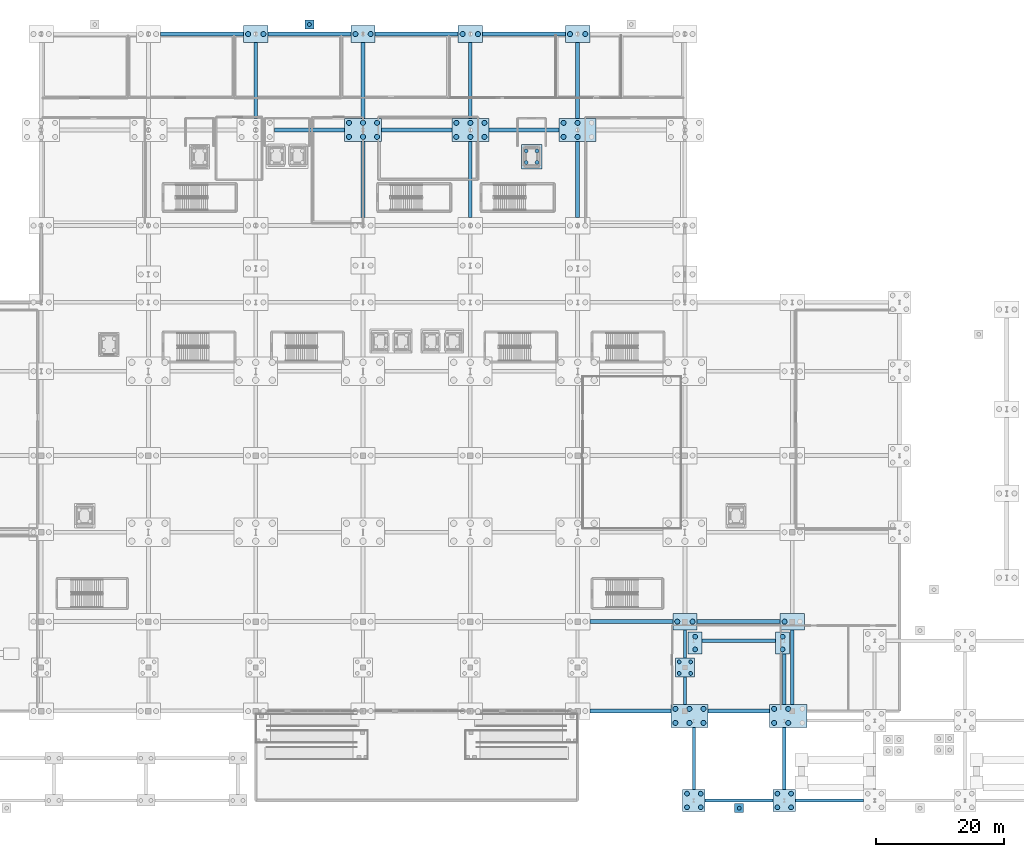
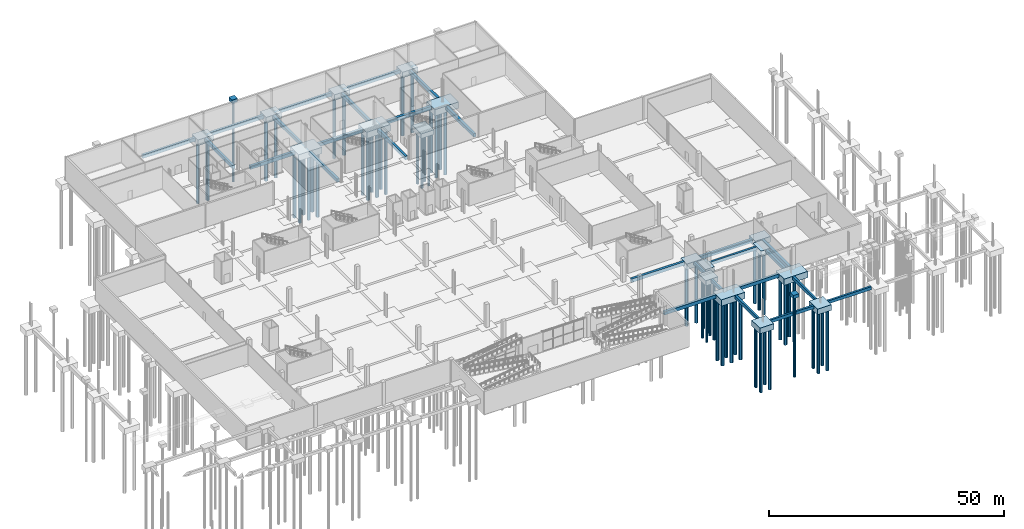
# One storey, part 5 of 46: 59 piles, 46 footings.
"""IFC4 building model written with IfcOpenShell, lengths in metres."""

from ifc_helpers import new_model, si_unit, direction, frame, origin, origin_2d, place, context, subcontext, project, spatial, rectangle, circle, extrude, material, material_profile, profile_set, type_object, element, save


model = new_model("IFC4")

# Units and contexts
model_context = context("Model", 3, precision=1e-05, world=origin(), true_north=direction((0.0, 1.0)))
body_context = subcontext(model_context, "Body", "Model", "MODEL_VIEW")
ifc_project = project(units=[si_unit("LENGTHUNIT", "METRE"), si_unit("AREAUNIT", "SQUARE_METRE"), si_unit("VOLUMEUNIT", "CUBIC_METRE"), si_unit("PLANEANGLEUNIT", "RADIAN"), si_unit("MASSUNIT", "GRAM", prefix="KILO")], contexts=[model_context])

# Site, building, storey
site_placement = place(None, origin())
site = spatial("IfcSite", under=ifc_project, at=site_placement, CompositionType="ELEMENT")
building_placement = place(site_placement, origin())
building = spatial("IfcBuilding", under=site, at=building_placement, Name="Kimbaza Rail Terminus", CompositionType="ELEMENT")
storey_placement = place(building_placement, frame((0.0, 0.0, -6.0)))
storey = spatial("IfcBuildingStorey", under=building, at=storey_placement, Name="B1", CompositionType="ELEMENT", Elevation=-6.0)

# Footings
ifc_material_1 = material(Name="Concrete C40/50", Category="concrete")
ifc_material_profile_1 = material_profile(ifc_material_1, rectangle(XDim=0.60009765625, YDim=0.89990234375, at=origin_2d()), Name="GB-01 600x900")
ifc_profile_set_1 = profile_set([ifc_material_profile_1], Name="Concrete C40/50")
footing_type_1 = type_object("IfcFootingType", Name="STR-GB-01", PredefinedType="FOOTING_BEAM", material=ifc_profile_set_1)
footing_1_placement = place(storey_placement, frame((73.902099609375, 133.0, -0.449951171875), z_axis=(1.0, 0.0, 0.0), x_axis=(0.0, 1.0, 0.0)))
element("IfcFooting", 1, at=footing_1_placement, inside=storey, type_object=footing_type_1, Name="Ground Tie Beam GB-V5X-1-2", PredefinedType="FOOTING_BEAM", context=body_context, shape_type="SweptSolid", body=[
    extrude(rectangle(XDim=0.60009765625, YDim=0.89990234375, at=origin_2d()), origin(), (0.0, 0.0, 1.0), 12.995849609375),
])
footing_2_placement = place(storey_placement, frame((91.701904296875, 118.0, -0.449951171875), z_axis=(1.0, 0.0, 0.0), x_axis=(0.0, 1.0, 0.0)))
element("IfcFooting", 2, at=footing_2_placement, inside=storey, type_object=footing_type_1, Name="Ground Tie Beam GB-V5X-2-1", PredefinedType="FOOTING_BEAM", context=body_context, shape_type="SweptSolid", body=[
    extrude(rectangle(XDim=0.60009765625, YDim=0.89990234375, at=origin_2d()), origin(), (0.0, 0.0, 1.0), 10.99609375),
])
footing_3_placement = place(storey_placement, frame((88.800048828125, 119.802001953125, -0.449951171875), z_axis=(0.0, 1.0, 0.0), x_axis=(-1.0, 0.0, 0.0)))
element("IfcFooting", 3, at=footing_3_placement, inside=storey, type_object=footing_type_1, Name="Ground Tie Beam GB-V5Y-2-1", PredefinedType="FOOTING_BEAM", context=body_context, shape_type="SweptSolid", body=[
    extrude(rectangle(XDim=0.60009765625, YDim=0.89990234375, at=origin_2d()), origin(), (0.0, 0.0, 1.0), 11.89599609375),
])
footing_4_placement = place(storey_placement, frame((90.701904296875, 133.0, -0.449951171875), z_axis=(1.0, 0.0, 0.0), x_axis=(0.0, 1.0, 0.0)))
element("IfcFooting", 4, at=footing_4_placement, inside=storey, type_object=footing_type_1, Name="Ground Tie Beam GB-V5X-2-2", PredefinedType="FOOTING_BEAM", context=body_context, shape_type="SweptSolid", body=[
    extrude(rectangle(XDim=0.60009765625, YDim=0.89990234375, at=origin_2d()), origin(), (0.0, 0.0, 1.0), 12.99609375),
])
footing_5_placement = place(storey_placement, frame((105.60009765625, 104.302001953125, -0.449951171875), z_axis=(0.0, 1.0, 0.0), x_axis=(-1.0, 0.0, 0.0)))
element("IfcFooting", 5, at=footing_5_placement, inside=storey, type_object=footing_type_1, Name="Ground Tie Beam GB-V5Y-3-0", PredefinedType="FOOTING_BEAM", context=body_context, shape_type="SweptSolid", body=[
    extrude(rectangle(XDim=0.60009765625, YDim=0.89990234375, at=origin_2d()), origin(), (0.0, 0.0, 1.0), 11.89599609375),
])
footing_6_placement = place(storey_placement, frame((108.501953125, 118.0, -0.449951171875), z_axis=(1.0, 0.0, 0.0), x_axis=(0.0, 1.0, 0.0)))
element("IfcFooting", 6, at=footing_6_placement, inside=storey, type_object=footing_type_1, Name="Ground Tie Beam GB-V5X-3-1", PredefinedType="FOOTING_BEAM", context=body_context, shape_type="SweptSolid", body=[
    extrude(rectangle(XDim=0.60009765625, YDim=0.89990234375, at=origin_2d()), origin(), (0.0, 0.0, 1.0), 10.99609375),
])
footing_7_placement = place(storey_placement, frame((105.60009765625, 119.802001953125, -0.449951171875), z_axis=(0.0, 1.0, 0.0), x_axis=(-1.0, 0.0, 0.0)))
element("IfcFooting", 7, at=footing_7_placement, inside=storey, type_object=footing_type_1, Name="Ground Tie Beam GB-V5Y-3-1", PredefinedType="FOOTING_BEAM", context=body_context, shape_type="SweptSolid", body=[
    extrude(rectangle(XDim=0.60009765625, YDim=0.89990234375, at=origin_2d()), origin(), (0.0, 0.0, 1.0), 11.89599609375),
])
footing_8_placement = place(storey_placement, frame((107.501953125, 133.0, -0.449951171875), z_axis=(1.0, 0.0, 0.0), x_axis=(0.0, 1.0, 0.0)))
element("IfcFooting", 8, at=footing_8_placement, inside=storey, type_object=footing_type_1, Name="Ground Tie Beam GB-V5X-3-2", PredefinedType="FOOTING_BEAM", context=body_context, shape_type="SweptSolid", body=[
    extrude(rectangle(XDim=0.60009765625, YDim=0.89990234375, at=origin_2d()), origin(), (0.0, 0.0, 1.0), 12.99609375),
])
footing_9_placement = place(storey_placement, frame((122.39990234375, 104.302001953125, -0.449951171875), z_axis=(0.0, 1.0, 0.0), x_axis=(-1.0, 0.0, 0.0)))
element("IfcFooting", 9, at=footing_9_placement, inside=storey, type_object=footing_type_1, Name="Ground Tie Beam GB-V5Y-4-0", PredefinedType="FOOTING_BEAM", context=body_context, shape_type="SweptSolid", body=[
    extrude(rectangle(XDim=0.60009765625, YDim=0.89990234375, at=origin_2d()), origin(), (0.0, 0.0, 1.0), 11.89599609375),
])
footing_10_placement = place(storey_placement, frame((125.302001953125, 118.0, -0.449951171875), z_axis=(1.0, 0.0, 0.0), x_axis=(0.0, 1.0, 0.0)))
element("IfcFooting", 10, at=footing_10_placement, inside=storey, type_object=footing_type_1, Name="Ground Tie Beam GB-V5X-4-1", PredefinedType="FOOTING_BEAM", context=body_context, shape_type="SweptSolid", body=[
    extrude(rectangle(XDim=0.60009765625, YDim=0.89990234375, at=origin_2d()), origin(), (0.0, 0.0, 1.0), 10.99609375),
])
footing_11_placement = place(storey_placement, frame((122.39990234375, 119.802001953125, -0.449951171875), z_axis=(0.0, 1.0, 0.0), x_axis=(-1.0, 0.0, 0.0)))
element("IfcFooting", 11, at=footing_11_placement, inside=storey, type_object=footing_type_1, Name="Ground Tie Beam GB-V5Y-4-1", PredefinedType="FOOTING_BEAM", context=body_context, shape_type="SweptSolid", body=[
    extrude(rectangle(XDim=0.60009765625, YDim=0.89990234375, at=origin_2d()), origin(), (0.0, 0.0, 1.0), 11.89599609375),
])
footing_12_placement = place(storey_placement, frame((124.302001953125, 133.0, -0.449951171875), z_axis=(1.0, 0.0, 0.0), x_axis=(0.0, 1.0, 0.0)))
element("IfcFooting", 12, at=footing_12_placement, inside=storey, type_object=footing_type_1, Name="Ground Tie Beam GB-V5X-4-2", PredefinedType="FOOTING_BEAM", context=body_context, shape_type="SweptSolid", body=[
    extrude(rectangle(XDim=0.60009765625, YDim=0.89990234375, at=origin_2d()), origin(), (0.0, 0.0, 1.0), 12.99609375),
])
for number, where, z_axis, x_axis, name in (
    (13, (139.199951171875, 104.302001953125, -0.449951171875), (0.0, 1.0, 0.0), (-1.0, 0.0, 0.0), "Ground Tie Beam GB-V5Y-5-0"),
    (14, (139.199951171875, 119.802001953125, -0.449951171875), (0.0, 1.0, 0.0), (-1.0, 0.0, 0.0), "Ground Tie Beam GB-V5Y-5-1"),
):
    element("IfcFooting", number, at=place(storey_placement, frame(where, z_axis=z_axis, x_axis=x_axis)), inside=storey, type_object=footing_type_1, Name=name, PredefinedType="FOOTING_BEAM", context=body_context, shape_type="SweptSolid", body=[
        extrude(rectangle(XDim=0.60009765625, YDim=0.89990234375, at=origin_2d()), origin(), (0.0, 0.0, 1.0), 11.89599609375),
    ])
footing_13_placement = place(storey_placement, frame((141.10205078125, 27.0, -0.449951171875), z_axis=(1.0, 0.0, 0.0), x_axis=(0.0, 1.0, 0.0)))
element("IfcFooting", 15, at=footing_13_placement, inside=storey, type_object=footing_type_1, Name="Ground Tie Beam GB-V2X-6-0", PredefinedType="FOOTING_BEAM", context=body_context, shape_type="SweptSolid", body=[
    extrude(rectangle(XDim=0.60009765625, YDim=0.89990234375, at=origin_2d()), origin(), (0.0, 0.0, 1.0), 12.696044921875),
])
footing_14_placement = place(storey_placement, frame((141.10205078125, 41.0, -0.449951171875), z_axis=(1.0, 0.0, 0.0), x_axis=(0.0, 1.0, 0.0)))
element("IfcFooting", 16, at=footing_14_placement, inside=storey, type_object=footing_type_1, Name="Ground Tie Beam GB-V2X-6-1", PredefinedType="FOOTING_BEAM", context=body_context, shape_type="SweptSolid", body=[
    extrude(rectangle(XDim=0.60009765625, YDim=0.89990234375, at=origin_2d()), origin(), (0.0, 0.0, 1.0), 12.995849609375),
])
footing_15_placement = place(storey_placement, frame((159.60205078125, 27.0, -0.449951171875), z_axis=(1.0, 0.0, 0.0), x_axis=(0.0, 1.0, 0.0)))
element("IfcFooting", 17, at=footing_15_placement, inside=storey, type_object=footing_type_1, Name="Ground Tie Beam GB-V2X-7-0", PredefinedType="FOOTING_BEAM", context=body_context, shape_type="SweptSolid", body=[
    extrude(rectangle(XDim=0.60009765625, YDim=0.89990234375, at=origin_2d()), origin(), (0.0, 0.0, 1.0), 9.6708984375),
])
footing_16_placement = place(storey_placement, frame((157.902099609375, 41.0, -0.449951171875), z_axis=(1.0, 0.0, 0.0), x_axis=(0.0, 1.0, 0.0)))
element("IfcFooting", 18, at=footing_16_placement, inside=storey, type_object=footing_type_1, Name="Ground Tie Beam GB-V2X-7-1", PredefinedType="FOOTING_BEAM", context=body_context, shape_type="SweptSolid", body=[
    extrude(rectangle(XDim=0.60009765625, YDim=0.89990234375, at=origin_2d()), origin(), (0.0, 0.0, 1.0), 12.995849609375),
])
footing_17_placement = place(storey_placement, frame((172.800048828125, 28.052001953125, -0.449951171875), z_axis=(0.0, 1.0, 0.0), x_axis=(-1.0, 0.0, 0.0)))
element("IfcFooting", 19, at=footing_17_placement, inside=storey, type_object=footing_type_1, Name="Ground Tie Beam GB-V2Y-8-0", PredefinedType="FOOTING_BEAM", context=body_context, shape_type="SweptSolid", body=[
    extrude(rectangle(XDim=0.60009765625, YDim=0.89990234375, at=origin_2d()), origin(), (0.0, 0.0, 1.0), 11.64599609375),
])
ifc_material_2 = material(Name="Concrete C40/50", Category="concrete")
ifc_material_profile_2 = material_profile(ifc_material_2, rectangle(XDim=0.5, YDim=0.800048828125, at=origin_2d()), Name="GB-02 500x800")
ifc_profile_set_2 = profile_set([ifc_material_profile_2], Name="Concrete C40/50")
footing_type_2 = type_object("IfcFootingType", Name="STR-GB-02", PredefinedType="FOOTING_BEAM", material=ifc_profile_set_2)
footing_18_placement = place(storey_placement, frame((156.0, 28.052001953125, -0.39990234375), z_axis=(0.0, 1.0, 0.0), x_axis=(-1.0, 0.0, 0.0)))
element("IfcFooting", 20, at=footing_18_placement, inside=storey, type_object=footing_type_2, Name="Ground Tie Beam GB-COL-6A", PredefinedType="FOOTING_BEAM", context=body_context, shape_type="SweptSolid", body=[
    extrude(rectangle(XDim=0.5, YDim=0.800048828125, at=origin_2d()), origin(), (0.0, 0.0, 1.0), 4.24609375),
])
footing_19_placement = place(storey_placement, frame((156.0, 35.302001953125, -0.39990234375), z_axis=(0.0, 1.0, 0.0), x_axis=(-1.0, 0.0, 0.0)))
element("IfcFooting", 21, at=footing_19_placement, inside=storey, type_object=footing_type_2, Name="Ground Tie Beam GB-COL-6B", PredefinedType="FOOTING_BEAM", context=body_context, shape_type="SweptSolid", body=[
    extrude(rectangle(XDim=0.5, YDim=0.800048828125, at=origin_2d()), origin(), (0.0, 0.0, 1.0), 4.39599609375),
])
footing_20_placement = place(storey_placement, frame((159.152099609375, 13.0, -0.39990234375), z_axis=(1.0, 0.0, 0.0), x_axis=(0.0, 1.0, 0.0)))
element("IfcFooting", 22, at=footing_20_placement, inside=storey, type_object=footing_type_2, Name="Ground Tie Beam GB-V4X-0-0", PredefinedType="FOOTING_BEAM", context=body_context, shape_type="SweptSolid", body=[
    extrude(rectangle(XDim=0.5, YDim=0.800048828125, at=origin_2d()), origin(), (0.0, 0.0, 1.0), 10.64599609375),
])
footing_21_placement = place(storey_placement, frame((157.39990234375, 14.751953125, -0.39990234375), z_axis=(0.0, 1.0, 0.0), x_axis=(-1.0, 0.0, 0.0)))
element("IfcFooting", 23, at=footing_21_placement, inside=storey, type_object=footing_type_2, Name="Ground Tie Beam GB-V4Y-0-0", PredefinedType="FOOTING_BEAM", context=body_context, shape_type="SweptSolid", body=[
    extrude(rectangle(XDim=0.5, YDim=0.800048828125, at=origin_2d()), origin(), (0.0, 0.0, 1.0), 9.696044921875),
])
footing_22_placement = place(storey_placement, frame((158.701904296875, 38.0, -0.39990234375), z_axis=(1.0, 0.0, 0.0), x_axis=(0.0, 1.0, 0.0)))
element("IfcFooting", 24, at=footing_22_placement, inside=storey, type_object=footing_type_2, Name="Ground Tie Beam GB-V4X-0-2", PredefinedType="FOOTING_BEAM", context=body_context, shape_type="SweptSolid", body=[
    extrude(rectangle(XDim=0.5, YDim=0.800048828125, at=origin_2d()), origin(), (0.0, 0.0, 1.0), 11.49609375),
])
footing_23_placement = place(storey_placement, frame((173.302001953125, 13.0, -0.39990234375), z_axis=(1.0, 0.0, 0.0), x_axis=(0.0, 1.0, 0.0)))
element("IfcFooting", 25, at=footing_23_placement, inside=storey, type_object=footing_type_2, Name="Ground Tie Beam GB-V4X-1-0", PredefinedType="FOOTING_BEAM", context=body_context, shape_type="SweptSolid", body=[
    extrude(rectangle(XDim=0.5, YDim=0.800048828125, at=origin_2d()), origin(), (0.0, 0.0, 1.0), 10.64599609375),
])
footing_24_placement = place(storey_placement, frame((171.550048828125, 14.751953125, -0.39990234375), z_axis=(0.0, 1.0, 0.0), x_axis=(-1.0, 0.0, 0.0)))
element("IfcFooting", 26, at=footing_24_placement, inside=storey, type_object=footing_type_2, Name="Ground Tie Beam GB-V4Y-1-0", PredefinedType="FOOTING_BEAM", context=body_context, shape_type="SweptSolid", body=[
    extrude(rectangle(XDim=0.5, YDim=0.800048828125, at=origin_2d()), origin(), (0.0, 0.0, 1.0), 9.696044921875),
])
footing_25_placement = place(storey_placement, frame((171.550048828125, 28.052001953125, -0.39990234375), z_axis=(0.0, 1.0, 0.0), x_axis=(-1.0, 0.0, 0.0)))
element("IfcFooting", 27, at=footing_25_placement, inside=storey, type_object=footing_type_2, Name="Ground Tie Beam GB-V4Y-1-1", PredefinedType="FOOTING_BEAM", context=body_context, shape_type="SweptSolid", body=[
    extrude(rectangle(XDim=0.5, YDim=0.800048828125, at=origin_2d()), origin(), (0.0, 0.0, 1.0), 7.845947265625),
])
ifc_material_3 = material(Name="Concrete C40/50", Category="concrete")
footing_type_3 = type_object("IfcFootingType", Name="STR-PC-02", PredefinedType="PILE_CAP", material=ifc_material_3)
footing_26_placement = place(storey_placement, frame((156.0, 33.800048828125, -1.35009765625), z_axis=(0.0, 0.0, 1.0), x_axis=(1.0, 0.0, 0.0)))
element("IfcFooting", 28, at=footing_26_placement, inside=storey, type_object=footing_type_3, Name="Pile Cap PC-02 at (156.0,33.8)", PredefinedType="PILE_CAP", context=body_context, shape_type="SweptSolid", body=[
    extrude(rectangle(XDim=3.0, YDim=3.0, at=origin_2d()), origin(), (0.0, 0.0, 1.0), 1.35009765625),
])
ifc_material_4 = material(Name="Concrete C40/50", Category="concrete")
footing_type_4 = type_object("IfcFootingType", Name="STR-PC-03", PredefinedType="PILE_CAP", material=ifc_material_4)
for number, where, z_axis, x_axis, name in (
    (29, (157.39990234375, 13.0, -1.5), (0.0, 0.0, 1.0), (1.0, 0.0, 0.0), "Pile Cap PC-03 at (157.4,13.0)"),
    (30, (171.550048828125, 13.0, -1.5), (0.0, 0.0, 1.0), (1.0, 0.0, 0.0), "Pile Cap PC-03 at (171.6,13.0)"),
):
    element("IfcFooting", number, at=place(storey_placement, frame(where, z_axis=z_axis, x_axis=x_axis)), inside=storey, type_object=footing_type_4, Name=name, PredefinedType="PILE_CAP", context=body_context, shape_type="SweptSolid", body=[
        extrude(rectangle(XDim=3.5, YDim=3.5, at=origin_2d()), origin(), (0.0, 0.0, 1.0), 1.5),
    ])
ifc_material_5 = material(Name="Concrete C40/50", Category="concrete")
footing_type_5 = type_object("IfcFootingType", Name="STR-PC-04", PredefinedType="PILE_CAP", material=ifc_material_5)
for number, where, z_axis, x_axis, name in (
    (31, (88.800048828125, 133.0, -1.5), (0.0, 0.0, 1.0), (1.0, 0.0, 0.0), "Pile Cap PC-04 at (88.8,133.0)"),
    (32, (105.60009765625, 133.0, -1.5), (0.0, 0.0, 1.0), (1.0, 0.0, 0.0), "Pile Cap PC-04 at (105.6,133.0)"),
    (33, (122.39990234375, 133.0, -1.5), (0.0, 0.0, 1.0), (1.0, 0.0, 0.0), "Pile Cap PC-04 at (122.4,133.0)"),
    (34, (139.199951171875, 133.0, -1.5), (0.0, 0.0, 1.0), (1.0, 0.0, 0.0), "Pile Cap PC-04 at (139.2,133.0)"),
    (35, (156.0, 41.0, -1.5), (0.0, 0.0, 1.0), (1.0, 0.0, 0.0), "Pile Cap PC-04 at (156.0,41.0)"),
    (36, (172.800048828125, 41.0, -1.5), (0.0, 0.0, 1.0), (1.0, 0.0, 0.0), "Pile Cap PC-04 at (172.8,41.0)"),
):
    element("IfcFooting", number, at=place(storey_placement, frame(where, z_axis=z_axis, x_axis=x_axis)), inside=storey, type_object=footing_type_5, Name=name, PredefinedType="PILE_CAP", context=body_context, shape_type="SweptSolid", body=[
        extrude(rectangle(XDim=3.800048828125, YDim=2.60009765625, at=origin_2d()), origin(), (0.0, 0.0, 1.0), 1.5),
    ])
ifc_material_6 = material(Name="Concrete C40/50", Category="concrete")
footing_type_6 = type_object("IfcFootingType", Name="STR-PC-05", PredefinedType="PILE_CAP", material=ifc_material_6)
for number, where, z_axis, x_axis, name in (
    (37, (105.60009765625, 118.0, -1.64990234375), (0.0, 0.0, 1.0), (1.0, 0.0, 0.0), "Pile Cap PC-05 at (105.6,118.0)"),
    (38, (122.39990234375, 118.0, -1.64990234375), (0.0, 0.0, 1.0), (1.0, 0.0, 0.0), "Pile Cap PC-05 at (122.4,118.0)"),
    (39, (139.199951171875, 118.0, -1.64990234375), (0.0, 0.0, 1.0), (1.0, 0.0, 0.0), "Pile Cap PC-05 at (139.2,118.0)"),
    (40, (156.699951171875, 26.25, -1.64990234375), (0.0, 0.0, 1.0), (1.0, 0.0, 0.0), "Pile Cap PC-05 at (156.7,26.2)"),
    (41, (172.175048828125, 26.25, -1.64990234375), (0.0, 0.0, 1.0), (1.0, 0.0, 0.0), "Pile Cap PC-05 at (172.2,26.2)"),
):
    element("IfcFooting", number, at=place(storey_placement, frame(where, z_axis=z_axis, x_axis=x_axis)), inside=storey, type_object=footing_type_6, Name=name, PredefinedType="PILE_CAP", context=body_context, shape_type="SweptSolid", body=[
        extrude(rectangle(XDim=5.800048828125, YDim=3.60009765625, at=origin_2d()), origin(), (0.0, 0.0, 1.0), 1.64990234375),
    ])
ifc_material_7 = material(Name="Concrete C40/50", Category="concrete")
footing_type_7 = type_object("IfcFootingType", Name="STR-PC-07Y", PredefinedType="PILE_CAP", material=ifc_material_7)
for number, where, z_axis, x_axis, name in (
    (42, (157.60009765625, 37.64990234375, -1.35009765625), (0.0, 0.0, 1.0), (1.0, 0.0, 0.0), "Pile Cap PC-07Y at (157.6,37.6)"),
    (43, (171.300048828125, 37.64990234375, -1.35009765625), (0.0, 0.0, 1.0), (1.0, 0.0, 0.0), "Pile Cap PC-07Y at (171.3,37.6)"),
):
    element("IfcFooting", number, at=place(storey_placement, frame(where, z_axis=z_axis, x_axis=x_axis)), inside=storey, type_object=footing_type_7, Name=name, PredefinedType="PILE_CAP", context=body_context, shape_type="SweptSolid", body=[
        extrude(rectangle(XDim=2.199951171875, YDim=3.5, at=origin_2d()), origin(), (0.0, 0.0, 1.0), 1.35009765625),
    ])
ifc_material_8 = material(Name="Concrete C40/50", Category="concrete")
footing_type_8 = type_object("IfcFootingType", Name="STR-PC-09", PredefinedType="PILE_CAP", material=ifc_material_8)
for number, where, z_axis, x_axis, name in (
    (44, (97.199951171875, 134.5, 4.85009765625), (0.0, 0.0, 1.0), (1.0, 0.0, 0.0), "Pile Cap PC-09 at (97.2,134.5)"),
    (45, (164.5, 11.800048828125, 4.85009765625), (0.0, 0.0, 1.0), (1.0, 0.0, 0.0), "Pavilion Apron Pile Cap 1"),
):
    element("IfcFooting", number, at=place(storey_placement, frame(where, z_axis=z_axis, x_axis=x_axis)), inside=storey, type_object=footing_type_8, Name=name, PredefinedType="PILE_CAP", context=body_context, shape_type="SweptSolid", body=[
        extrude(rectangle(XDim=1.39990234375, YDim=1.39990234375, at=origin_2d()), origin(), (0.0, 0.0, 1.0), 0.89990234375),
    ])
ifc_material_9 = material(Name="Concrete C40/50", Category="concrete")
footing_type_9 = type_object("IfcFootingType", Name="STR-PC-11", PredefinedType="PILE_CAP", material=ifc_material_9)
footing_27_placement = place(storey_placement, frame((132.0, 113.800048828125, -2.85009765625), z_axis=(0.0, 0.0, 1.0), x_axis=(1.0, 0.0, 0.0)))
element("IfcFooting", 46, at=footing_27_placement, inside=storey, type_object=footing_type_9, Name="Pile Cap PC-11 at (132.0,113.8)", PredefinedType="PILE_CAP", context=body_context, shape_type="SweptSolid", body=[
    extrude(rectangle(XDim=3.199951171875, YDim=3.800048828125, at=origin_2d()), origin(), (0.0, 0.0, 1.0), 1.199951171875),
])

# Piles
ifc_material_10 = material(Name="Concrete C35/45", Category="concrete")
ifc_material_profile_3 = material_profile(ifc_material_10, circle(Radius=0.300048828125, at=origin_2d()), Name="BORED PILE 600")
ifc_profile_set_3 = profile_set([ifc_material_profile_3], Name="Concrete C35/45")
pile_type_1 = type_object("IfcPileType", Name="STR-PILE-600", PredefinedType="BORED", material=ifc_profile_set_3)
for number, where, z_axis, x_axis, name in (
    (47, (131.14990234375, 112.89990234375, -2.75), (0.0, 0.0, -1.0), (1.0, 0.0, 0.0), "Bored Pile 600 #1"),
    (48, (132.85009765625, 112.89990234375, -2.75), (0.0, 0.0, -1.0), (1.0, 0.0, 0.0), "Bored Pile 600 #2"),
    (49, (131.14990234375, 114.699951171875, -2.75), (0.0, 0.0, -1.0), (1.0, 0.0, 0.0), "Bored Pile 600 #3"),
    (50, (132.85009765625, 114.699951171875, -2.75), (0.0, 0.0, -1.0), (1.0, 0.0, 0.0), "Bored Pile 600 #4"),
):
    element("IfcPile", number, at=place(storey_placement, frame(where, z_axis=z_axis, x_axis=x_axis)), inside=storey, type_object=pile_type_1, Name=name, PredefinedType="BORED", context=body_context, shape_type="SweptSolid", body=[
        extrude(circle(Radius=0.300048828125, at=origin_2d()), origin(), (0.0, 0.0, 1.0), 13.75),
    ])
for number, where, z_axis, x_axis, name in (
    (51, (155.10009765625, 32.89990234375, -1.25), (0.0, 0.0, -1.0), (1.0, 0.0, 0.0), "Bored Pile 600 #1"),
    (52, (156.89990234375, 32.89990234375, -1.25), (0.0, 0.0, -1.0), (1.0, 0.0, 0.0), "Bored Pile 600 #2"),
    (53, (155.10009765625, 34.699951171875, -1.25), (0.0, 0.0, -1.0), (1.0, 0.0, 0.0), "Bored Pile 600 #3"),
    (54, (156.89990234375, 34.699951171875, -1.25), (0.0, 0.0, -1.0), (1.0, 0.0, 0.0), "Bored Pile 600 #4"),
):
    element("IfcPile", number, at=place(storey_placement, frame(where, z_axis=z_axis, x_axis=x_axis)), inside=storey, type_object=pile_type_1, Name=name, PredefinedType="BORED", context=body_context, shape_type="SweptSolid", body=[
        extrude(circle(Radius=0.300048828125, at=origin_2d()), origin(), (0.0, 0.0, 1.0), 15.25),
    ])
for number, where, z_axis, x_axis, name in (
    (55, (97.199951171875, 134.5, 4.949951171875), (0.0, 0.0, -1.0), (1.0, 0.0, 0.0), "Bored Pile 600 #1"),
    (56, (164.5, 11.800048828125, 4.949951171875), (0.0, 0.0, -1.0), (1.0, 0.0, 0.0), "Pavilion Apron Pile 1"),
):
    element("IfcPile", number, at=place(storey_placement, frame(where, z_axis=z_axis, x_axis=x_axis)), inside=storey, type_object=pile_type_1, Name=name, PredefinedType="BORED", context=body_context, shape_type="SweptSolid", body=[
        extrude(circle(Radius=0.300048828125, at=origin_2d()), origin(), (0.0, 0.0, 1.0), 20.949951171875),
    ])
ifc_material_11 = material(Name="Concrete C35/45", Category="concrete")
ifc_material_profile_4 = material_profile(ifc_material_11, circle(Radius=0.375, at=origin_2d()), Name="BORED PILE 750")
ifc_profile_set_4 = profile_set([ifc_material_profile_4], Name="Concrete C35/45")
pile_type_2 = type_object("IfcPileType", Name="STR-PILE-750", PredefinedType="BORED", material=ifc_profile_set_4)
for number, where, z_axis, x_axis, name in (
    (57, (156.324951171875, 11.925048828125, -1.39990234375), (0.0, 0.0, -1.0), (1.0, 0.0, 0.0), "Bored Pile 750 #1"),
    (58, (158.47509765625, 11.925048828125, -1.39990234375), (0.0, 0.0, -1.0), (1.0, 0.0, 0.0), "Bored Pile 750 #2"),
    (59, (156.324951171875, 14.074951171875, -1.39990234375), (0.0, 0.0, -1.0), (1.0, 0.0, 0.0), "Bored Pile 750 #3"),
    (60, (158.47509765625, 14.074951171875, -1.39990234375), (0.0, 0.0, -1.0), (1.0, 0.0, 0.0), "Bored Pile 750 #4"),
):
    element("IfcPile", number, at=place(storey_placement, frame(where, z_axis=z_axis, x_axis=x_axis)), inside=storey, type_object=pile_type_2, Name=name, PredefinedType="BORED", context=body_context, shape_type="SweptSolid", body=[
        extrude(circle(Radius=0.375, at=origin_2d()), origin(), (0.0, 0.0, 1.0), 15.800048828125),
    ])
for number, where, z_axis, x_axis, name in (
    (61, (157.60009765625, 36.64990234375, -1.25), (0.0, 0.0, -1.0), (1.0, 0.0, 0.0), "Bored Pile 750 #1"),
    (62, (157.60009765625, 38.64990234375, -1.25), (0.0, 0.0, -1.0), (1.0, 0.0, 0.0), "Bored Pile 750 #2"),
):
    element("IfcPile", number, at=place(storey_placement, frame(where, z_axis=z_axis, x_axis=x_axis)), inside=storey, type_object=pile_type_2, Name=name, PredefinedType="BORED", context=body_context, shape_type="SweptSolid", body=[
        extrude(circle(Radius=0.375, at=origin_2d()), origin(), (0.0, 0.0, 1.0), 15.949951171875),
    ])
for number, where, z_axis, x_axis, name in (
    (63, (170.47509765625, 11.925048828125, -1.39990234375), (0.0, 0.0, -1.0), (1.0, 0.0, 0.0), "Bored Pile 750 #1"),
    (64, (172.625, 11.925048828125, -1.39990234375), (0.0, 0.0, -1.0), (1.0, 0.0, 0.0), "Bored Pile 750 #2"),
    (65, (170.47509765625, 14.074951171875, -1.39990234375), (0.0, 0.0, -1.0), (1.0, 0.0, 0.0), "Bored Pile 750 #3"),
    (66, (172.625, 14.074951171875, -1.39990234375), (0.0, 0.0, -1.0), (1.0, 0.0, 0.0), "Bored Pile 750 #4"),
):
    element("IfcPile", number, at=place(storey_placement, frame(where, z_axis=z_axis, x_axis=x_axis)), inside=storey, type_object=pile_type_2, Name=name, PredefinedType="BORED", context=body_context, shape_type="SweptSolid", body=[
        extrude(circle(Radius=0.375, at=origin_2d()), origin(), (0.0, 0.0, 1.0), 15.800048828125),
    ])
for number, where, z_axis, x_axis, name in (
    (67, (171.300048828125, 36.64990234375, -1.25), (0.0, 0.0, -1.0), (1.0, 0.0, 0.0), "Bored Pile 750 #1"),
    (68, (171.300048828125, 38.64990234375, -1.25), (0.0, 0.0, -1.0), (1.0, 0.0, 0.0), "Bored Pile 750 #2"),
):
    element("IfcPile", number, at=place(storey_placement, frame(where, z_axis=z_axis, x_axis=x_axis)), inside=storey, type_object=pile_type_2, Name=name, PredefinedType="BORED", context=body_context, shape_type="SweptSolid", body=[
        extrude(circle(Radius=0.375, at=origin_2d()), origin(), (0.0, 0.0, 1.0), 15.949951171875),
    ])
ifc_material_12 = material(Name="Concrete C35/45", Category="concrete")
ifc_material_profile_5 = material_profile(ifc_material_12, circle(Radius=0.39990234375, at=origin_2d()), Name="BORED PILE 800")
ifc_profile_set_5 = profile_set([ifc_material_profile_5], Name="Concrete C35/45")
pile_type_3 = type_object("IfcPileType", Name="STR-PILE-800", PredefinedType="BORED", material=ifc_profile_set_5)
for number, where, z_axis, x_axis, name in (
    (69, (87.60009765625, 133.0, -1.39990234375), (0.0, 0.0, -1.0), (1.0, 0.0, 0.0), "Bored Pile 800 #1"),
    (70, (90.0, 133.0, -1.39990234375), (0.0, 0.0, -1.0), (1.0, 0.0, 0.0), "Bored Pile 800 #2"),
):
    element("IfcPile", number, at=place(storey_placement, frame(where, z_axis=z_axis, x_axis=x_axis)), inside=storey, type_object=pile_type_3, Name=name, PredefinedType="BORED", context=body_context, shape_type="SweptSolid", body=[
        extrude(circle(Radius=0.39990234375, at=origin_2d()), origin(), (0.0, 0.0, 1.0), 16.0),
    ])
for number, where, z_axis, x_axis, name in (
    (71, (103.39990234375, 116.89990234375, -1.550048828125), (0.0, 0.0, -1.0), (1.0, 0.0, 0.0), "Bored Pile 800 #1"),
    (72, (105.60009765625, 116.89990234375, -1.550048828125), (0.0, 0.0, -1.0), (1.0, 0.0, 0.0), "Bored Pile 800 #2"),
    (73, (107.800048828125, 116.89990234375, -1.550048828125), (0.0, 0.0, -1.0), (1.0, 0.0, 0.0), "Bored Pile 800 #3"),
    (74, (103.39990234375, 119.10009765625, -1.550048828125), (0.0, 0.0, -1.0), (1.0, 0.0, 0.0), "Bored Pile 800 #4"),
    (75, (105.60009765625, 119.10009765625, -1.550048828125), (0.0, 0.0, -1.0), (1.0, 0.0, 0.0), "Bored Pile 800 #5"),
    (76, (107.800048828125, 119.10009765625, -1.550048828125), (0.0, 0.0, -1.0), (1.0, 0.0, 0.0), "Bored Pile 800 #6"),
):
    element("IfcPile", number, at=place(storey_placement, frame(where, z_axis=z_axis, x_axis=x_axis)), inside=storey, type_object=pile_type_3, Name=name, PredefinedType="BORED", context=body_context, shape_type="SweptSolid", body=[
        extrude(circle(Radius=0.39990234375, at=origin_2d()), origin(), (0.0, 0.0, 1.0), 16.64990234375),
    ])
for number, where, z_axis, x_axis, name in (
    (77, (104.39990234375, 133.0, -1.39990234375), (0.0, 0.0, -1.0), (1.0, 0.0, 0.0), "Bored Pile 800 #1"),
    (78, (106.800048828125, 133.0, -1.39990234375), (0.0, 0.0, -1.0), (1.0, 0.0, 0.0), "Bored Pile 800 #2"),
):
    element("IfcPile", number, at=place(storey_placement, frame(where, z_axis=z_axis, x_axis=x_axis)), inside=storey, type_object=pile_type_3, Name=name, PredefinedType="BORED", context=body_context, shape_type="SweptSolid", body=[
        extrude(circle(Radius=0.39990234375, at=origin_2d()), origin(), (0.0, 0.0, 1.0), 16.0),
    ])
for number, where, z_axis, x_axis, name in (
    (79, (120.199951171875, 116.89990234375, -1.550048828125), (0.0, 0.0, -1.0), (1.0, 0.0, 0.0), "Bored Pile 800 #1"),
    (80, (122.39990234375, 116.89990234375, -1.550048828125), (0.0, 0.0, -1.0), (1.0, 0.0, 0.0), "Bored Pile 800 #2"),
    (81, (124.60009765625, 116.89990234375, -1.550048828125), (0.0, 0.0, -1.0), (1.0, 0.0, 0.0), "Bored Pile 800 #3"),
    (82, (120.199951171875, 119.10009765625, -1.550048828125), (0.0, 0.0, -1.0), (1.0, 0.0, 0.0), "Bored Pile 800 #4"),
    (83, (122.39990234375, 119.10009765625, -1.550048828125), (0.0, 0.0, -1.0), (1.0, 0.0, 0.0), "Bored Pile 800 #5"),
    (84, (124.60009765625, 119.10009765625, -1.550048828125), (0.0, 0.0, -1.0), (1.0, 0.0, 0.0), "Bored Pile 800 #6"),
):
    element("IfcPile", number, at=place(storey_placement, frame(where, z_axis=z_axis, x_axis=x_axis)), inside=storey, type_object=pile_type_3, Name=name, PredefinedType="BORED", context=body_context, shape_type="SweptSolid", body=[
        extrude(circle(Radius=0.39990234375, at=origin_2d()), origin(), (0.0, 0.0, 1.0), 16.64990234375),
    ])
for number, where, z_axis, x_axis, name in (
    (85, (121.199951171875, 133.0, -1.39990234375), (0.0, 0.0, -1.0), (1.0, 0.0, 0.0), "Bored Pile 800 #1"),
    (86, (123.60009765625, 133.0, -1.39990234375), (0.0, 0.0, -1.0), (1.0, 0.0, 0.0), "Bored Pile 800 #2"),
):
    element("IfcPile", number, at=place(storey_placement, frame(where, z_axis=z_axis, x_axis=x_axis)), inside=storey, type_object=pile_type_3, Name=name, PredefinedType="BORED", context=body_context, shape_type="SweptSolid", body=[
        extrude(circle(Radius=0.39990234375, at=origin_2d()), origin(), (0.0, 0.0, 1.0), 16.0),
    ])
for number, where, z_axis, x_axis, name in (
    (87, (137.0, 116.89990234375, -1.550048828125), (0.0, 0.0, -1.0), (1.0, 0.0, 0.0), "Bored Pile 800 #1"),
    (88, (139.199951171875, 116.89990234375, -1.550048828125), (0.0, 0.0, -1.0), (1.0, 0.0, 0.0), "Bored Pile 800 #2"),
    (89, (137.0, 119.10009765625, -1.550048828125), (0.0, 0.0, -1.0), (1.0, 0.0, 0.0), "Bored Pile 800 #4"),
    (90, (139.199951171875, 119.10009765625, -1.550048828125), (0.0, 0.0, -1.0), (1.0, 0.0, 0.0), "Bored Pile 800 #5"),
):
    element("IfcPile", number, at=place(storey_placement, frame(where, z_axis=z_axis, x_axis=x_axis)), inside=storey, type_object=pile_type_3, Name=name, PredefinedType="BORED", context=body_context, shape_type="SweptSolid", body=[
        extrude(circle(Radius=0.39990234375, at=origin_2d()), origin(), (0.0, 0.0, 1.0), 16.64990234375),
    ])
for number, where, z_axis, x_axis, name in (
    (91, (138.0, 133.0, -1.39990234375), (0.0, 0.0, -1.0), (1.0, 0.0, 0.0), "Bored Pile 800 #1"),
    (92, (140.39990234375, 133.0, -1.39990234375), (0.0, 0.0, -1.0), (1.0, 0.0, 0.0), "Bored Pile 800 #2"),
):
    element("IfcPile", number, at=place(storey_placement, frame(where, z_axis=z_axis, x_axis=x_axis)), inside=storey, type_object=pile_type_3, Name=name, PredefinedType="BORED", context=body_context, shape_type="SweptSolid", body=[
        extrude(circle(Radius=0.39990234375, at=origin_2d()), origin(), (0.0, 0.0, 1.0), 16.0),
    ])
for number, where, z_axis, x_axis, name in (
    (93, (154.5, 25.14990234375, -1.550048828125), (0.0, 0.0, -1.0), (1.0, 0.0, 0.0), "Bored Pile 800 #1"),
    (94, (156.699951171875, 25.14990234375, -1.550048828125), (0.0, 0.0, -1.0), (1.0, 0.0, 0.0), "Bored Pile 800 #2"),
    (95, (158.89990234375, 25.14990234375, -1.550048828125), (0.0, 0.0, -1.0), (1.0, 0.0, 0.0), "Bored Pile 800 #3"),
    (96, (154.5, 27.35009765625, -1.550048828125), (0.0, 0.0, -1.0), (1.0, 0.0, 0.0), "Bored Pile 800 #4"),
    (97, (156.699951171875, 27.35009765625, -1.550048828125), (0.0, 0.0, -1.0), (1.0, 0.0, 0.0), "Bored Pile 800 #5"),
    (98, (158.89990234375, 27.35009765625, -1.550048828125), (0.0, 0.0, -1.0), (1.0, 0.0, 0.0), "Bored Pile 800 #6"),
):
    element("IfcPile", number, at=place(storey_placement, frame(where, z_axis=z_axis, x_axis=x_axis)), inside=storey, type_object=pile_type_3, Name=name, PredefinedType="BORED", context=body_context, shape_type="SweptSolid", body=[
        extrude(circle(Radius=0.39990234375, at=origin_2d()), origin(), (0.0, 0.0, 1.0), 16.050048828125),
    ])
for number, where, z_axis, x_axis, name in (
    (99, (154.800048828125, 41.0, -1.39990234375), (0.0, 0.0, -1.0), (1.0, 0.0, 0.0), "Bored Pile 800 #1"),
    (100, (157.199951171875, 41.0, -1.39990234375), (0.0, 0.0, -1.0), (1.0, 0.0, 0.0), "Bored Pile 800 #2"),
):
    element("IfcPile", number, at=place(storey_placement, frame(where, z_axis=z_axis, x_axis=x_axis)), inside=storey, type_object=pile_type_3, Name=name, PredefinedType="BORED", context=body_context, shape_type="SweptSolid", body=[
        extrude(circle(Radius=0.39990234375, at=origin_2d()), origin(), (0.0, 0.0, 1.0), 15.60009765625),
    ])
for number, where, z_axis, x_axis, name in (
    (101, (169.97509765625, 25.14990234375, -1.550048828125), (0.0, 0.0, -1.0), (1.0, 0.0, 0.0), "Bored Pile 800 #1"),
    (102, (172.175048828125, 25.14990234375, -1.550048828125), (0.0, 0.0, -1.0), (1.0, 0.0, 0.0), "Bored Pile 800 #2"),
    (103, (169.97509765625, 27.35009765625, -1.550048828125), (0.0, 0.0, -1.0), (1.0, 0.0, 0.0), "Bored Pile 800 #4"),
    (104, (172.175048828125, 27.35009765625, -1.550048828125), (0.0, 0.0, -1.0), (1.0, 0.0, 0.0), "Bored Pile 800 #5"),
):
    element("IfcPile", number, at=place(storey_placement, frame(where, z_axis=z_axis, x_axis=x_axis)), inside=storey, type_object=pile_type_3, Name=name, PredefinedType="BORED", context=body_context, shape_type="SweptSolid", body=[
        extrude(circle(Radius=0.39990234375, at=origin_2d()), origin(), (0.0, 0.0, 1.0), 16.050048828125),
    ])
pile_placement = place(storey_placement, frame((171.60009765625, 41.0, -1.39990234375), z_axis=(0.0, 0.0, -1.0), x_axis=(1.0, 0.0, 0.0)))
element("IfcPile", 105, at=pile_placement, inside=storey, type_object=pile_type_3, Name="Bored Pile 800 #1", PredefinedType="BORED", context=body_context, shape_type="SweptSolid", body=[
    extrude(circle(Radius=0.39990234375, at=origin_2d()), origin(), (0.0, 0.0, 1.0), 15.60009765625),
])

save(model, "model.ifc")
